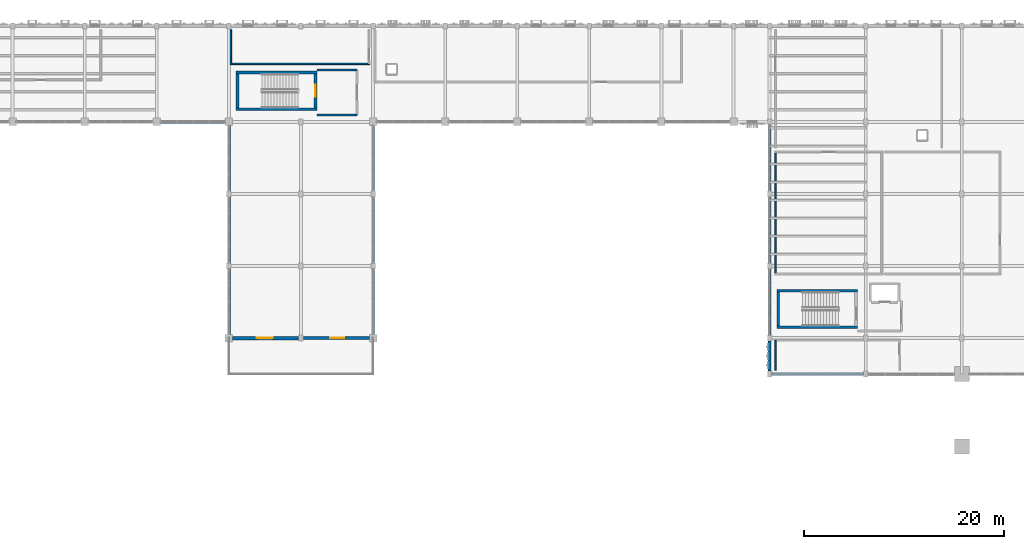
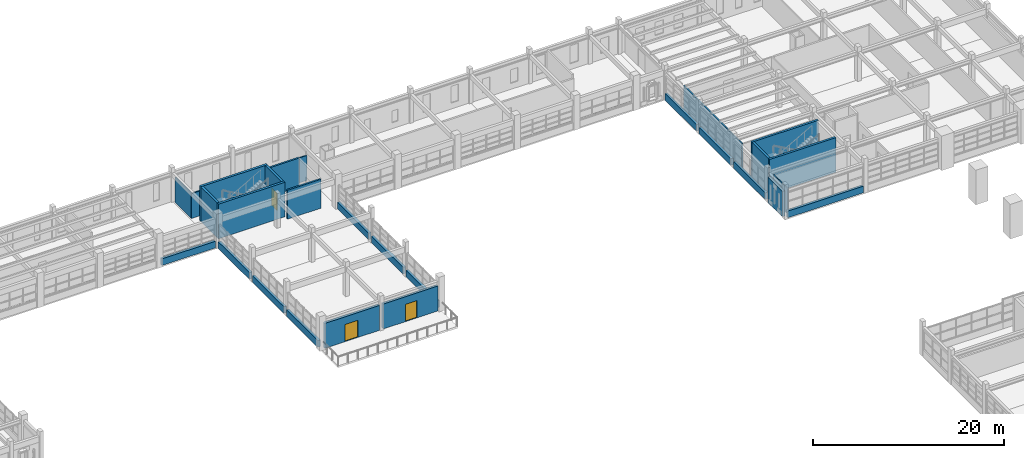
# One storey, part 46 of 69: 27 walls, 3 doors, 3 openings.
"""IFC4 building model written with IfcOpenShell, lengths in metres."""

from ifc_helpers import new_model, si_unit, direction, frame, frame_2d, origin, place, context, subcontext, project, spatial, rectangle, extrude, material, layer, layer_set, type_object, element, fill, save


model = new_model("IFC4")

# Units and contexts
model_context = context("Model", 3, precision=1e-05, world=origin(), true_north=direction((0.0, 1.0)))
body_context = subcontext(model_context, "Body", "Model", "MODEL_VIEW")
ifc_project = project(units=[si_unit("LENGTHUNIT", "METRE"), si_unit("AREAUNIT", "SQUARE_METRE"), si_unit("VOLUMEUNIT", "CUBIC_METRE"), si_unit("PLANEANGLEUNIT", "RADIAN"), si_unit("MASSUNIT", "GRAM", prefix="KILO")], contexts=[model_context])

# Site, building, storey
site_placement = place(None, origin())
site = spatial("IfcSite", under=ifc_project, at=site_placement, CompositionType="ELEMENT")
building_placement = place(site_placement, origin())
building = spatial("IfcBuilding", under=site, at=building_placement, Name="Nzembalo Square Collegiate School", CompositionType="ELEMENT")
storey_placement = place(building_placement, frame((0.0, 0.0, 5.10009765625)))
storey = spatial("IfcBuildingStorey", under=building, at=storey_placement, Name="L01", CompositionType="ELEMENT", Elevation=5.10009765625)

# Walls
ifc_material_1 = material(Name="Concrete C35/45", Category="concrete")
ifc_layer_1 = layer(ifc_material_1, 0.280029296875, Name="Concrete C35/45")
ifc_layer_set_1 = layer_set([ifc_layer_1], Name="Concrete C35/45")
wall_type_1 = type_object("IfcWallType", Name="SW03", PredefinedType="SHEAR", material=ifc_layer_set_1)
wall_1_placement = place(storey_placement, frame((77.659912109375, 105.800048828125, 0.0), z_axis=(0.0, 0.0, 1.0), x_axis=(0.0, 1.0, 0.0)))
element("IfcWall", 1, at=wall_1_placement, inside=storey, type_object=wall_type_1, Name="Core C3 stair shear wall W L01", PredefinedType="SHEAR", context=body_context, shape_type="SweptSolid", body=[
    extrude(rectangle(XDim=3.39990234375, YDim=0.280029296875, at=frame_2d((1.699951171875, 0.0))), origin(), (0.0, 0.0, 1.0), 4.419921875),
])
for number, where, z_axis, x_axis, name in (
    (2, (77.52001953125, 105.659912109375, 0.0), (0.0, 0.0, 1.0), (1.0, 0.0, 0.0), "Core C3 stair shear wall S L01"),
    (3, (77.52001953125, 109.340087890625, 0.0), (0.0, 0.0, 1.0), (1.0, 0.0, 0.0), "Core C3 stair shear wall N L01"),
):
    element("IfcWall", number, at=place(storey_placement, frame(where, z_axis=z_axis, x_axis=x_axis)), inside=storey, type_object=wall_type_1, Name=name, PredefinedType="SHEAR", context=body_context, shape_type="SweptSolid", body=[
        extrude(rectangle(XDim=8.06005859375, YDim=0.280029296875, at=frame_2d((4.030029296875, 0.0))), origin(), (0.0, 0.0, 1.0), 4.419921875),
    ])

# Wall, opening, door
wall_2_placement = place(storey_placement, frame((85.43994140625, 105.800048828125, 0.0), z_axis=(0.0, 0.0, 1.0), x_axis=(0.0, 1.0, 0.0)))
wall_2 = element("IfcWall", 4, at=wall_2_placement, inside=storey, type_object=wall_type_1, Name="Core C3 stair shear wall E L01", PredefinedType="SHEAR", context=body_context, shape_type="SweptSolid", body=[
    extrude(rectangle(XDim=3.39990234375, YDim=0.280029296875, at=frame_2d((1.699951171875, 0.0))), origin(), (0.0, 0.0, 1.0), 4.419921875),
])
opening_1_placement = place(wall_2_placement, frame((1.10009765625, 0.0, 0.0)))
opening_1 = element("IfcOpeningElement", 5, at=opening_1_placement, cuts=wall_2, Name="Opening FD-025", PredefinedType="OPENING", context=body_context, shape_type="SweptSolid", body=[
    extrude(rectangle(XDim=1.199951171875, YDim=2.199951171875, at=frame_2d((0.60009765625, 1.10009765625))), frame((0.0, 0.14990234375, 0.0), z_axis=(0.0, -1.0, 0.0), x_axis=(1.0, 0.0, 0.0)), (0.0, 0.0, 1.0), 0.300048828125),
])
ifc_material_2 = material(Name="Fire-rated steel acoustic door", Category="steel")
door_type_1 = type_object("IfcDoorType", Name="FD01", OperationType="NOTDEFINED", PredefinedType="DOOR", material=ifc_material_2)
door_1_placement = place(opening_1_placement, origin())
door_1 = element("IfcDoor", 6, at=door_1_placement, inside=storey, type_object=door_type_1, Name="Stair fire door FD-025", OperationType="SINGLE_SWING_LEFT", OverallHeight=2.199951171875, OverallWidth=1.199951171875, PredefinedType="DOOR", context=body_context, shape_type="SweptSolid", body=[
    extrude(rectangle(XDim=1.199951171875, YDim=2.199951171875, at=frame_2d((0.60009765625, 1.10009765625))), frame((0.0, 0.02490234375, 0.0), z_axis=(0.0, -1.0, 0.0), x_axis=(1.0, 0.0, 0.0)), (0.0, 0.0, 1.0), 0.050048828125),
])
fill(opening_1, door_1)

# Walls
ifc_material_3 = material(Name="Concrete C35/45", Category="concrete")
ifc_layer_2 = layer(ifc_material_3, 0.260009765625, Name="Concrete C35/45")
ifc_layer_set_2 = layer_set([ifc_layer_2], Name="Concrete C35/45")
wall_type_2 = type_object("IfcWallType", Name="SW04", PredefinedType="SHEAR", material=ifc_layer_set_2)
wall_3_placement = place(storey_placement, frame((131.669921875, 84.0, 0.0), z_axis=(0.0, 0.0, 1.0), x_axis=(0.0, 1.0, 0.0)))
element("IfcWall", 7, at=wall_3_placement, inside=storey, type_object=wall_type_2, Name="Core C4 stair shear wall W L01", PredefinedType="SHEAR", context=body_context, shape_type="SweptSolid", body=[
    extrude(rectangle(XDim=3.39990234375, YDim=0.260009765625, at=frame_2d((1.699951171875, 0.0))), origin(), (0.0, 0.0, 1.0), 4.419921875),
])
for number, where, z_axis, x_axis, name in (
    (8, (131.5400390625, 83.8701171875, 0.0), (0.0, 0.0, 1.0), (1.0, 0.0, 0.0), "Core C4 stair shear wall S L01"),
    (9, (131.5400390625, 87.530029296875, 0.0), (0.0, 0.0, 1.0), (1.0, 0.0, 0.0), "Core C4 stair shear wall N L01"),
):
    element("IfcWall", number, at=place(storey_placement, frame(where, z_axis=z_axis, x_axis=x_axis)), inside=storey, type_object=wall_type_2, Name=name, PredefinedType="SHEAR", context=body_context, shape_type="SweptSolid", body=[
        extrude(rectangle(XDim=8.02001953125, YDim=0.260009765625, at=frame_2d((4.010009765625, 0.0))), origin(), (0.0, 0.0, 1.0), 4.419921875),
    ])
ifc_material_4 = material(Name="Concrete C35/45", Category="concrete")
ifc_layer_3 = layer(ifc_material_4, 0.320068359375, Name="Concrete C35/45")
ifc_layer_set_3 = layer_set([ifc_layer_3], Name="Concrete C35/45")
wall_type_3 = type_object("IfcWallType", Name="W03", PredefinedType="SOLIDWALL", material=ifc_layer_set_3)
wall_4_placement = place(storey_placement, frame((130.800048828125, 79.501953125, 0.0), z_axis=(0.0, 0.0, 1.0), x_axis=(0.0, 1.0, 0.0)))
element("IfcWall", 10, at=wall_4_placement, inside=storey, type_object=wall_type_3, Name="Exterior wall W03 L01", PredefinedType="SOLIDWALL", context=body_context, shape_type="SweptSolid", body=[
    extrude(rectangle(XDim=2.99609375, YDim=0.320068359375, at=frame_2d((1.498046875, 0.0))), origin(), (0.0, 0.0, 1.0), 3.243896484375),
])
for number, where, z_axis, x_axis, name in (
    (11, (130.800048828125, 90.302001953125, 0.0), (0.0, 0.0, 1.0), (0.0, 1.0, 0.0), "Spandrel wall W03 L01"),
    (12, (91.199951171875, 90.302001953125, 0.0), (0.0, 0.0, 1.0), (0.0, 1.0, 0.0), "Spandrel wall W03 L01"),
):
    element("IfcWall", number, at=place(storey_placement, frame(where, z_axis=z_axis, x_axis=x_axis)), inside=storey, type_object=wall_type_3, Name=name, PredefinedType="SOLIDWALL", context=body_context, shape_type="SweptSolid", body=[
        extrude(rectangle(XDim=6.595947265625, YDim=0.320068359375, at=frame_2d((3.2978515625, 0.0))), origin(), (0.0, 0.0, 1.0), 0.849853515625),
    ])

# Wall, opening, door
wall_5_placement = place(storey_placement, frame((77.177001953125, 82.800048828125, 0.0), z_axis=(0.0, 0.0, 1.0), x_axis=(1.0, 0.0, 0.0)))
wall_5 = element("IfcWall", 13, at=wall_5_placement, inside=storey, type_object=wall_type_3, Name="Exterior wall W03 L01", PredefinedType="SOLIDWALL", context=body_context, shape_type="SweptSolid", body=[
    extrude(rectangle(XDim=6.595947265625, YDim=0.320068359375, at=frame_2d((3.2978515625, 0.0))), origin(), (0.0, 0.0, 1.0), 3.183837890625),
])
opening_2_placement = place(wall_5_placement, frame((2.423095703125, 0.0, 0.0)))
opening_2 = element("IfcOpeningElement", 14, at=opening_2_placement, cuts=wall_5, Name="Opening TD-101", PredefinedType="OPENING", context=body_context, shape_type="SweptSolid", body=[
    extrude(rectangle(XDim=1.60009765625, YDim=2.199951171875, at=frame_2d((0.800048828125, 1.10009765625))), frame((0.0, 0.169921875, 0.0), z_axis=(0.0, -1.0, 0.0), x_axis=(1.0, 0.0, 0.0)), (0.0, 0.0, 1.0), 0.340087890625),
])
ifc_material_5 = material(Name="Powder-coated steel and safety glass", Category="steel")
door_type_2 = type_object("IfcDoorType", Name="TD01", OperationType="DOUBLE_DOOR_SINGLE_SWING", PredefinedType="DOOR", material=ifc_material_5)
door_2_placement = place(opening_2_placement, frame((1.60009765625, 0.0, 0.0), z_axis=(0.0, 0.0, 1.0), x_axis=(-1.0, 0.0, 0.0)))
door_2 = element("IfcDoor", 15, at=door_2_placement, inside=storey, type_object=door_type_2, Name="Exterior door TD-101", OperationType="DOUBLE_DOOR_SINGLE_SWING", OverallHeight=2.199951171875, OverallWidth=1.60009765625, PredefinedType="DOOR", context=body_context, shape_type="SweptSolid", body=[
    extrude(rectangle(XDim=1.60009765625, YDim=2.199951171875, at=frame_2d((0.800048828125, 1.10009765625))), frame((0.0, 0.02490234375, 0.0), z_axis=(0.0, -1.0, 0.0), x_axis=(1.0, 0.0, 0.0)), (0.0, 0.0, 1.0), 0.050048828125),
])
fill(opening_2, door_2)

# Walls
for number, where, z_axis, x_axis, name in (
    (16, (76.800048828125, 83.177001953125, 0.0), (0.0, 0.0, 1.0), (0.0, 1.0, 0.0), "Spandrel wall W03 L01"),
    (17, (76.800048828125, 97.501953125, 0.0), (0.0, 0.0, 1.0), (0.0, 1.0, 0.0), "Spandrel wall W03 L01"),
):
    element("IfcWall", number, at=place(storey_placement, frame(where, z_axis=z_axis, x_axis=x_axis)), inside=storey, type_object=wall_type_3, Name=name, PredefinedType="SOLIDWALL", context=body_context, shape_type="SweptSolid", body=[
        extrude(rectangle(XDim=6.52099609375, YDim=0.320068359375, at=frame_2d((3.260498046875, 0.0))), origin(), (0.0, 0.0, 1.0), 0.849853515625),
    ])
ifc_material_6 = material(Name="Concrete C35/45", Category="concrete")
ifc_layer_4 = layer(ifc_material_6, 0.300048828125, Name="Concrete C35/45")
ifc_layer_set_4 = layer_set([ifc_layer_4], Name="Concrete C35/45")
wall_type_4 = type_object("IfcWallType", Name="W04", PredefinedType="SOLIDWALL", material=ifc_layer_set_4)
wall_6_placement = place(storey_placement, frame((131.027099609375, 79.199951171875, 0.0), z_axis=(0.0, 0.0, 1.0), x_axis=(1.0, 0.0, 0.0)))
element("IfcWall", 18, at=wall_6_placement, inside=storey, type_object=wall_type_4, Name="Spandrel wall W04 L01", PredefinedType="SOLIDWALL", context=body_context, shape_type="SweptSolid", body=[
    extrude(rectangle(XDim=9.14599609375, YDim=0.300048828125, at=frame_2d((4.572998046875, 0.0))), origin(), (0.0, 0.0, 1.0), 0.849853515625),
])
for number, where, z_axis, x_axis, name in (
    (19, (130.800048828125, 83.10205078125, 0.0), (0.0, 0.0, 1.0), (0.0, 1.0, 0.0), "Spandrel wall W04 L01"),
    (20, (130.800048828125, 97.501953125, 0.0), (0.0, 0.0, 1.0), (0.0, 1.0, 0.0), "Spandrel wall W04 L01"),
):
    element("IfcWall", number, at=place(storey_placement, frame(where, z_axis=z_axis, x_axis=x_axis)), inside=storey, type_object=wall_type_4, Name=name, PredefinedType="SOLIDWALL", context=body_context, shape_type="SweptSolid", body=[
        extrude(rectangle(XDim=6.595947265625, YDim=0.300048828125, at=frame_2d((3.2978515625, 0.0))), origin(), (0.0, 0.0, 1.0), 0.849853515625),
    ])
for number, where, z_axis, x_axis, name in (
    (21, (91.199951171875, 83.177001953125, 0.0), (0.0, 0.0, 1.0), (0.0, 1.0, 0.0), "Spandrel wall W04 L01"),
    (22, (91.199951171875, 97.501953125, 0.0), (0.0, 0.0, 1.0), (0.0, 1.0, 0.0), "Spandrel wall W04 L01"),
):
    element("IfcWall", number, at=place(storey_placement, frame(where, z_axis=z_axis, x_axis=x_axis)), inside=storey, type_object=wall_type_4, Name=name, PredefinedType="SOLIDWALL", context=body_context, shape_type="SweptSolid", body=[
        extrude(rectangle(XDim=6.52099609375, YDim=0.300048828125, at=frame_2d((3.260498046875, 0.0))), origin(), (0.0, 0.0, 1.0), 0.849853515625),
    ])

# Wall, opening, door
wall_7_placement = place(storey_placement, frame((84.22705078125, 82.800048828125, 0.0), z_axis=(0.0, 0.0, 1.0), x_axis=(1.0, 0.0, 0.0)))
wall_7 = element("IfcWall", 23, at=wall_7_placement, inside=storey, type_object=wall_type_4, Name="Exterior wall W04 L01", PredefinedType="SOLIDWALL", context=body_context, shape_type="SweptSolid", body=[
    extrude(rectangle(XDim=6.595947265625, YDim=0.300048828125, at=frame_2d((3.2978515625, 0.0))), origin(), (0.0, 0.0, 1.0), 3.183837890625),
])
opening_3_placement = place(wall_7_placement, frame((2.673095703125, 0.0, 0.0)))
opening_3 = element("IfcOpeningElement", 24, at=opening_3_placement, cuts=wall_7, Name="Opening TD-102", PredefinedType="OPENING", context=body_context, shape_type="SweptSolid", body=[
    extrude(rectangle(XDim=1.39990234375, YDim=2.199951171875, at=frame_2d((0.699951171875, 1.10009765625))), frame((0.0, 0.16015625, 0.0), z_axis=(0.0, -1.0, 0.0), x_axis=(1.0, 0.0, 0.0)), (0.0, 0.0, 1.0), 0.320068359375),
])
ifc_material_7 = material(Name="Powder-coated steel and safety glass", Category="steel")
door_type_3 = type_object("IfcDoorType", Name="TD02", OperationType="DOUBLE_DOOR_SINGLE_SWING", PredefinedType="DOOR", material=ifc_material_7)
door_3_placement = place(opening_3_placement, frame((1.39990234375, 0.0, 0.0), z_axis=(0.0, 0.0, 1.0), x_axis=(-1.0, 0.0, 0.0)))
door_3 = element("IfcDoor", 25, at=door_3_placement, inside=storey, type_object=door_type_3, Name="Exterior door TD-102", OperationType="DOUBLE_DOOR_SINGLE_SWING", OverallHeight=2.199951171875, OverallWidth=1.39990234375, PredefinedType="DOOR", context=body_context, shape_type="SweptSolid", body=[
    extrude(rectangle(XDim=1.39990234375, YDim=2.199951171875, at=frame_2d((0.699951171875, 1.10009765625))), frame((0.0, 0.02490234375, 0.0), z_axis=(0.0, -1.0, 0.0), x_axis=(1.0, 0.0, 0.0)), (0.0, 0.0, 1.0), 0.050048828125),
])
fill(opening_3, door_3)

# Walls
wall_8_placement = place(storey_placement, frame((76.800048828125, 90.302001953125, 0.0), z_axis=(0.0, 0.0, 1.0), x_axis=(0.0, 1.0, 0.0)))
element("IfcWall", 26, at=wall_8_placement, inside=storey, type_object=wall_type_4, Name="Spandrel wall W04 L01", PredefinedType="SOLIDWALL", context=body_context, shape_type="SweptSolid", body=[
    extrude(rectangle(XDim=6.595947265625, YDim=0.300048828125, at=frame_2d((3.2978515625, 0.0))), origin(), (0.0, 0.0, 1.0), 0.849853515625),
])
wall_9_placement = place(storey_placement, frame((69.97705078125, 104.39990234375, 0.0), z_axis=(0.0, 0.0, 1.0), x_axis=(1.0, 0.0, 0.0)))
element("IfcWall", 27, at=wall_9_placement, inside=storey, type_object=wall_type_4, Name="Spandrel wall W04 L01", PredefinedType="SOLIDWALL", context=body_context, shape_type="SweptSolid", body=[
    extrude(rectangle(XDim=6.446044921875, YDim=0.300048828125, at=frame_2d((3.22314453125, 0.0))), origin(), (0.0, 0.0, 1.0), 0.849853515625),
])
ifc_material_8 = material(Name="Concrete blockwork C25/30", Category="masonry")
ifc_layer_5 = layer(ifc_material_8, 0.199951171875, Name="Concrete blockwork C25/30")
ifc_layer_set_5 = layer_set([ifc_layer_5], Name="Concrete blockwork C25/30")
wall_type_5 = type_object("IfcWallType", Name="W11", PredefinedType="PARTITIONING", material=ifc_layer_set_5)
for number, where, z_axis, x_axis, name in (
    (28, (85.580078125, 105.10009765625, 0.0), (0.0, 0.0, 1.0), (1.0, 0.0, 0.0), "Core C3 EI 60 lobby wall S L01"),
    (29, (85.580078125, 109.60009765625, 0.0), (0.0, 0.0, 1.0), (1.0, 0.0, 0.0), "Core C3 EI 60 lobby wall N L01"),
):
    element("IfcWall", number, at=place(storey_placement, frame(where, z_axis=z_axis, x_axis=x_axis)), inside=storey, type_object=wall_type_5, Name=name, PredefinedType="PARTITIONING", context=body_context, shape_type="SweptSolid", body=[
        extrude(rectangle(XDim=4.02001953125, YDim=0.199951171875, at=frame_2d((2.010009765625, 0.0))), origin(), (0.0, 0.0, 1.0), 3.69384765625),
    ])
ifc_material_9 = material(Name="Moisture-resistant acoustic stud")
ifc_layer_6 = layer(ifc_material_9, 0.1650390625, Name="Moisture-resistant acoustic stud")
ifc_layer_set_6 = layer_set([ifc_layer_6], Name="Moisture-resistant acoustic stud")
wall_type_6 = type_object("IfcWallType", Name="W15", PredefinedType="PARTITIONING", material=ifc_layer_set_6)
wall_10_placement = place(storey_placement, frame((131.39990234375, 89.199951171875, 0.0), z_axis=(0.0, 0.0, 1.0), x_axis=(0.0, 1.0, 0.0)))
element("IfcWall", 30, at=wall_10_placement, inside=storey, type_object=wall_type_6, Name="Interior partition W15 L01-038-W", PredefinedType="PARTITIONING", context=body_context, shape_type="SweptSolid", body=[
    extrude(rectangle(XDim=12.199951171875, YDim=0.1650390625, at=frame_2d((6.10009765625, 0.0))), origin(), (0.0, 0.0, 1.0), 3.243896484375),
])
ifc_material_10 = material(Name="Gypsum plasterboard stud")
ifc_layer_7 = layer(ifc_material_10, 0.139892578125, Name="Gypsum plasterboard stud")
ifc_layer_set_7 = layer_set([ifc_layer_7], Name="Gypsum plasterboard stud")
wall_type_7 = type_object("IfcWallType", Name="W18", PredefinedType="PARTITIONING", material=ifc_layer_set_7)
wall_11_placement = place(storey_placement, frame((76.929931640625, 110.199951171875, 0.0), z_axis=(0.0, 0.0, 1.0), x_axis=(1.0, 0.0, 0.0)))
element("IfcWall", 31, at=wall_11_placement, inside=storey, type_object=wall_type_7, Name="Interior partition W18 L01-031-S", PredefinedType="PARTITIONING", context=body_context, shape_type="SweptSolid", body=[
    extrude(rectangle(XDim=13.940185546875, YDim=0.139892578125, at=frame_2d((6.97021484375, 0.0))), origin(), (0.0, 0.0, 1.0), 3.183837890625),
])
wall_12_placement = place(storey_placement, frame((77.0, 110.199951171875, 0.0), z_axis=(0.0, 0.0, 1.0), x_axis=(0.0, 1.0, 0.0)))
element("IfcWall", 32, at=wall_12_placement, inside=storey, type_object=wall_type_7, Name="Interior partition W18 L01-031-W", PredefinedType="PARTITIONING", context=body_context, shape_type="SweptSolid", body=[
    extrude(rectangle(XDim=3.400146484375, YDim=0.139892578125, at=frame_2d((1.7001953125, 0.0))), origin(), (0.0, 0.0, 1.0), 3.183837890625),
])
ifc_material_11 = material(Name="Cement-board wet-room partition")
ifc_layer_8 = layer(ifc_material_11, 0.135009765625, Name="Cement-board wet-room partition")
ifc_layer_set_8 = layer_set([ifc_layer_8], Name="Cement-board wet-room partition")
wall_type_8 = type_object("IfcWallType", Name="W19", PredefinedType="PARTITIONING", material=ifc_layer_set_8)
wall_13_placement = place(storey_placement, frame((131.39990234375, 79.60009765625, 0.0), z_axis=(0.0, 0.0, 1.0), x_axis=(0.0, 1.0, 0.0)))
element("IfcWall", 33, at=wall_13_placement, inside=storey, type_object=wall_type_8, Name="Interior partition W19 L01-042-W", PredefinedType="PARTITIONING", context=body_context, shape_type="SweptSolid", body=[
    extrude(rectangle(XDim=3.0, YDim=0.135009765625, at=frame_2d((1.5, 0.0))), origin(), (0.0, 0.0, 1.0), 3.243896484375),
])

save(model, "model.ifc")
